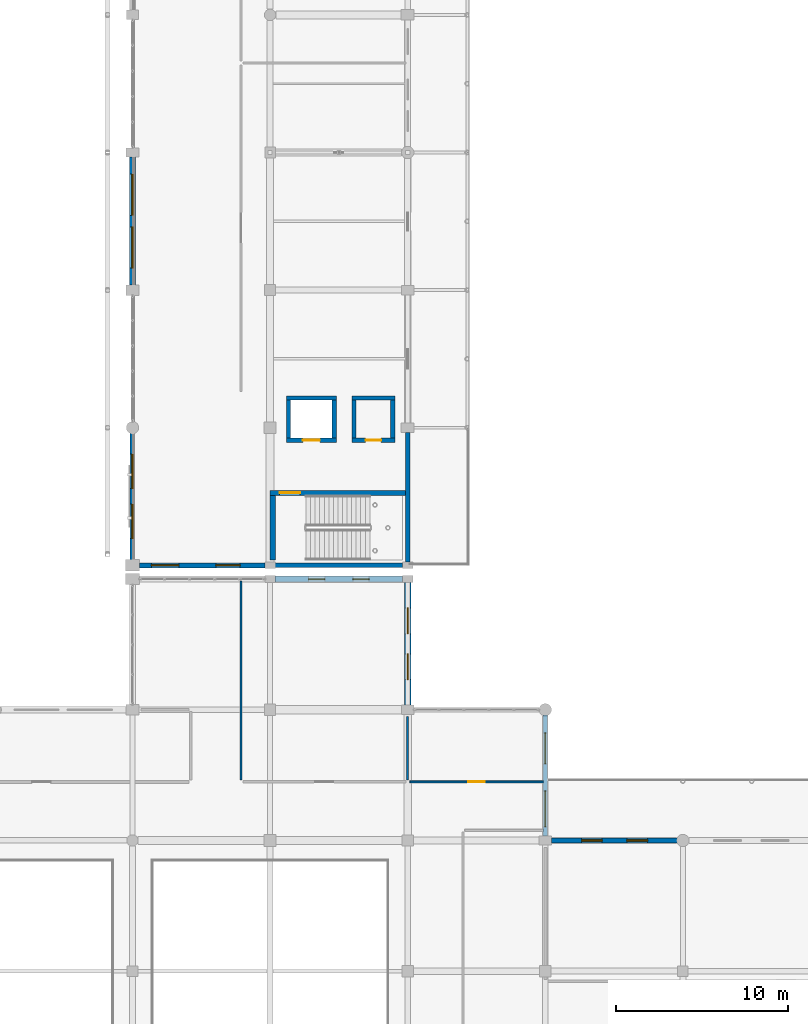
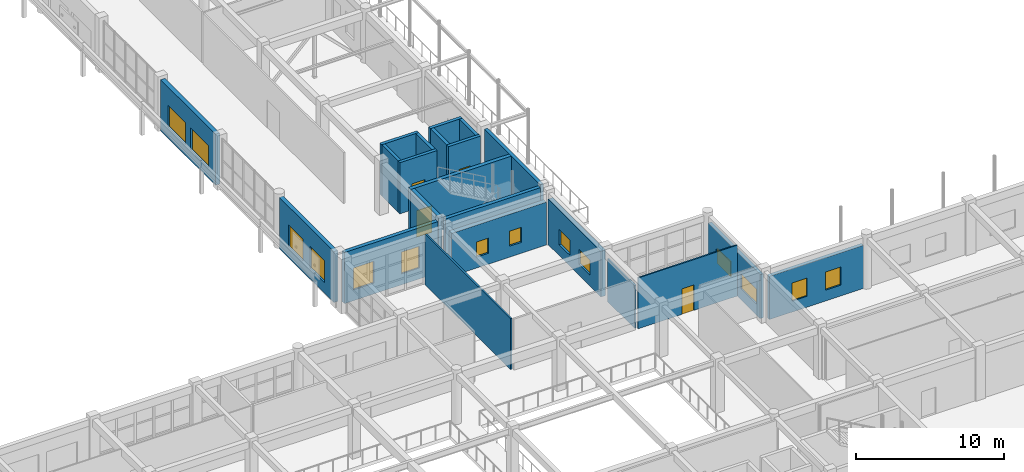
# One storey, part 126 of 160: 22 walls, 14 windows, 4 doors, 18 openings.
"""IFC4 building model written with IfcOpenShell, lengths in metres."""

from ifc_helpers import new_model, si_unit, direction, frame, frame_2d, origin, place, context, subcontext, project, spatial, rectangle, extrude, material, layer, layer_set, type_object, element, fill, save


model = new_model("IFC4")

# Units and contexts
model_context = context("Model", 3, precision=1e-05, world=origin(), true_north=direction((0.0, 1.0)))
body_context = subcontext(model_context, "Body", "Model", "MODEL_VIEW")
ifc_project = project(units=[si_unit("LENGTHUNIT", "METRE"), si_unit("AREAUNIT", "SQUARE_METRE"), si_unit("VOLUMEUNIT", "CUBIC_METRE"), si_unit("PLANEANGLEUNIT", "RADIAN"), si_unit("MASSUNIT", "GRAM", prefix="KILO")], contexts=[model_context])

# Site, building, storey
site_placement = place(None, origin())
site = spatial("IfcSite", under=ifc_project, at=site_placement, CompositionType="ELEMENT")
building_placement = place(site_placement, origin())
building = spatial("IfcBuilding", under=site, at=building_placement, Name="Kharva Crest Polytechnic", CompositionType="ELEMENT")
storey_placement = place(building_placement, frame((0.0, 0.0, 4.5)))
storey = spatial("IfcBuildingStorey", under=building, at=storey_placement, Name="L01", CompositionType="ELEMENT", Elevation=4.5)

# Wall, opening, door
ifc_material_1 = material(Name="Concrete C40/50", Category="concrete")
ifc_layer_1 = layer(ifc_material_1, 0.300048828125, Name="Concrete C40/50")
ifc_layer_set_1 = layer_set([ifc_layer_1], Name="Concrete C40/50")
wall_type_1 = type_object("IfcWallType", Name="WL-CORE-CW2-300", PredefinedType="SHEAR", material=ifc_layer_set_1)
wall_1_placement = place(storey_placement, frame((40.0, 43.010009765625, 0.0), z_axis=(0.0, 0.0, 1.0), x_axis=(1.0, 0.0, 0.0)))
wall_1 = element("IfcWall", 1, at=wall_1_placement, inside=storey, type_object=wall_type_1, Name="L01 West Workshop Core C2 North Shear Wall", PredefinedType="SHEAR", context=body_context, shape_type="SweptSolid", body=[
    extrude(rectangle(XDim=8.0, YDim=0.300048828125, at=frame_2d((4.0, 0.0))), origin(), (0.0, 0.0, 1.0), 4.219970703125),
])
opening_1_placement = place(wall_1_placement, frame((0.550048828125, 0.0, 0.0)))
opening_1 = element("IfcOpeningElement", 2, at=opening_1_placement, cuts=wall_1, Name="Opening FD1", PredefinedType="OPENING", context=body_context, shape_type="SweptSolid", body=[
    extrude(rectangle(XDim=1.199951171875, YDim=2.199951171875, at=frame_2d((0.60009765625, 1.10009765625))), frame((0.0, 0.159912109375, 0.0), z_axis=(0.0, -1.0, 0.0), x_axis=(1.0, 0.0, 0.0)), (0.0, 0.0, 1.0), 0.320068359375),
])
ifc_material_2 = material(Name="Teak timber", Category="wood")
door_type_1 = type_object("IfcDoorType", Name="DR-STAIR-1200X2200", OperationType="NOTDEFINED", PredefinedType="DOOR", material=ifc_material_2)
door_1_placement = place(opening_1_placement, origin())
door_1 = element("IfcDoor", 3, at=door_1_placement, inside=storey, type_object=door_type_1, Name="L01 ST-02 Stair Door", OperationType="SINGLE_SWING_LEFT", OverallHeight=2.199951171875, OverallWidth=1.199951171875, PredefinedType="DOOR", context=body_context, shape_type="SweptSolid", body=[
    extrude(rectangle(XDim=1.199951171875, YDim=2.199951171875, at=frame_2d((0.60009765625, 1.10009765625))), frame((0.0, 0.02490234375, 0.0), z_axis=(0.0, -1.0, 0.0), x_axis=(1.0, 0.0, 0.0)), (0.0, 0.0, 1.0), 0.050048828125),
])
fill(opening_1, door_1)

# Wall
wall_2_placement = place(storey_placement, frame((40.14990234375, 39.10009765625, 0.0), z_axis=(0.0, 0.0, 1.0), x_axis=(0.0, 1.0, 0.0)))
element("IfcWall", 4, at=wall_2_placement, inside=storey, type_object=wall_type_1, Name="L01 West Workshop Core C2 West Shear Wall", PredefinedType="SHEAR", context=body_context, shape_type="SweptSolid", body=[
    extrude(rectangle(XDim=3.760009765625, YDim=0.300048828125, at=frame_2d((1.8798828125, 0.0))), origin(), (0.0, 0.0, 1.0), 4.219970703125),
])

# Wall, openings, windows
ifc_material_3 = material(Name="Kiln brick masonry", Category="masonry")
ifc_layer_2 = layer(ifc_material_3, 0.260009765625, Name="Kiln brick masonry")
ifc_layer_set_2 = layer_set([ifc_layer_2], Name="Kiln brick masonry")
wall_type_2 = type_object("IfcWallType", Name="WL-EXT-BRK-260", PredefinedType="SOLIDWALL", material=ifc_layer_set_2)
wall_3_placement = place(storey_placement, frame((56.0, 23.070068359375, 0.0), z_axis=(0.0, 0.0, 1.0), x_axis=(0.0, 1.0, 0.0)))
wall_3 = element("IfcWall", 5, at=wall_3_placement, inside=storey, type_object=wall_type_2, Name="L01 Exterior Brick Wall 146", PredefinedType="SOLIDWALL", context=body_context, shape_type="SweptSolid", body=[
    extrude(rectangle(XDim=7.027587890625, YDim=0.260009765625, at=frame_2d((3.513671875, 0.0))), origin(), (0.0, 0.0, 1.0), 3.639892578125),
])
opening_2_placement = place(wall_3_placement, frame((0.52001953125, 0.0, 0.89990234375)))
opening_2 = element("IfcOpeningElement", 6, at=opening_2_placement, cuts=wall_3, Name="Opening W18", PredefinedType="OPENING", context=body_context, shape_type="SweptSolid", body=[
    extrude(rectangle(XDim=2.10009765625, YDim=1.25, at=frame_2d((1.050048828125, 0.625))), frame((0.0, 0.139892578125, 0.0), z_axis=(0.0, -1.0, 0.0), x_axis=(1.0, 0.0, 0.0)), (0.0, 0.0, 1.0), 0.280029296875),
])
opening_3_placement = place(wall_3_placement, frame((4.18408203125, 0.0, 0.89990234375)))
opening_3 = element("IfcOpeningElement", 7, at=opening_3_placement, cuts=wall_3, Name="Opening W19", PredefinedType="OPENING", context=body_context, shape_type="SweptSolid", body=[
    extrude(rectangle(XDim=1.800048828125, YDim=1.25, at=frame_2d((0.89990234375, 0.625))), frame((0.0, 0.139892578125, 0.0), z_axis=(0.0, -1.0, 0.0), x_axis=(1.0, 0.0, 0.0)), (0.0, 0.0, 1.0), 0.280029296875),
])
ifc_material_4 = material(Name="Anodised aluminium", Category="aluminium")
window_type_1 = type_object("IfcWindowType", Name="WIN-ALU-1800X1250", PartitioningType="SINGLE_PANEL", PredefinedType="WINDOW", material=ifc_material_4)
window_1_placement = place(opening_3_placement, origin())
window_1 = element("IfcWindow", 8, at=window_1_placement, inside=storey, type_object=window_type_1, Name="L01 Exterior Window 185", OverallHeight=1.25, OverallWidth=1.800048828125, PartitioningType="SINGLE_PANEL", PredefinedType="WINDOW", context=body_context, shape_type="SweptSolid", body=[
    extrude(rectangle(XDim=1.800048828125, YDim=1.25, at=frame_2d((0.89990234375, 0.625))), frame((0.0, 0.030029296875, 0.0), z_axis=(0.0, -1.0, 0.0), x_axis=(1.0, 0.0, 0.0)), (0.0, 0.0, 1.0), 0.06005859375),
])
fill(opening_3, window_1)
window_type_2 = type_object("IfcWindowType", Name="WIN-ALU-2100X1250", PartitioningType="SINGLE_PANEL", PredefinedType="WINDOW", material=ifc_material_4)
window_2_placement = place(opening_2_placement, origin())
window_2 = element("IfcWindow", 9, at=window_2_placement, inside=storey, type_object=window_type_2, Name="L01 Exterior Window 184", OverallHeight=1.25, OverallWidth=2.10009765625, PartitioningType="SINGLE_PANEL", PredefinedType="WINDOW", context=body_context, shape_type="SweptSolid", body=[
    extrude(rectangle(XDim=2.10009765625, YDim=1.25, at=frame_2d((1.050048828125, 0.625))), frame((0.0, 0.030029296875, 0.0), z_axis=(0.0, -1.0, 0.0), x_axis=(1.0, 0.0, 0.0)), (0.0, 0.0, 1.0), 0.06005859375),
])
fill(opening_2, window_2)

# Wall
wall_4_placement = place(storey_placement, frame((48.0, 38.9951171875, 0.0), z_axis=(0.0, 0.0, 1.0), x_axis=(0.0, 1.0, 0.0)))
element("IfcWall", 10, at=wall_4_placement, inside=storey, type_object=wall_type_2, Name="L01 Exterior Brick Wall 170", PredefinedType="SOLIDWALL", context=body_context, shape_type="SweptSolid", body=[
    extrude(rectangle(XDim=7.534912109375, YDim=0.260009765625, at=frame_2d((3.767578125, 0.0))), origin(), (0.0, 0.0, 1.0), 4.219970703125),
])

# Wall, openings, windows
ifc_layer_3 = layer(ifc_material_3, 0.27490234375, Name="Kiln brick masonry")
ifc_layer_set_3 = layer_set([ifc_layer_3], Name="Kiln brick masonry")
wall_type_3 = type_object("IfcWallType", Name="WL-EXT-BRK-275", PredefinedType="SOLIDWALL", material=ifc_layer_set_3)
wall_5_placement = place(storey_placement, frame((63.697509765625, 22.800048828125, 0.0), z_axis=(0.0, 0.0, 1.0), x_axis=(-1.0, 0.0, 0.0)))
wall_5 = element("IfcWall", 11, at=wall_5_placement, inside=storey, type_object=wall_type_3, Name="L01 Exterior Brick Wall 145", PredefinedType="SOLIDWALL", context=body_context, shape_type="SweptSolid", body=[
    extrude(rectangle(XDim=7.342529296875, YDim=0.27490234375, at=frame_2d((3.67138671875, 0.0))), origin(), (0.0, 0.0, 1.0), 3.570068359375),
])
opening_4_placement = place(wall_5_placement, frame((1.75390625, 0.0, 0.89990234375)))
opening_4 = element("IfcOpeningElement", 12, at=opening_4_placement, cuts=wall_5, Name="Opening W16", PredefinedType="OPENING", context=body_context, shape_type="SweptSolid", body=[
    extrude(rectangle(XDim=1.199951171875, YDim=1.5, at=frame_2d((0.60009765625, 0.75))), frame((0.0, 0.1474609375, 0.0), z_axis=(0.0, -1.0, 0.0), x_axis=(1.0, 0.0, 0.0)), (0.0, 0.0, 1.0), 0.294921875),
])
opening_5_placement = place(wall_5_placement, frame((4.387939453125, 0.0, 0.89990234375)))
opening_5 = element("IfcOpeningElement", 13, at=opening_5_placement, cuts=wall_5, Name="Opening W16", PredefinedType="OPENING", context=body_context, shape_type="SweptSolid", body=[
    extrude(rectangle(XDim=1.199951171875, YDim=1.5, at=frame_2d((0.60009765625, 0.75))), frame((0.0, 0.1474609375, 0.0), z_axis=(0.0, -1.0, 0.0), x_axis=(1.0, 0.0, 0.0)), (0.0, 0.0, 1.0), 0.294921875),
])
window_type_3 = type_object("IfcWindowType", Name="WIN-ALU-1200X1500", PartitioningType="SINGLE_PANEL", PredefinedType="WINDOW", material=ifc_material_4)
window_3_placement = place(opening_4_placement, origin())
window_3 = element("IfcWindow", 14, at=window_3_placement, inside=storey, type_object=window_type_3, Name="L01 Exterior Window 182", OverallHeight=1.5, OverallWidth=1.199951171875, PartitioningType="SINGLE_PANEL", PredefinedType="WINDOW", context=body_context, shape_type="SweptSolid", body=[
    extrude(rectangle(XDim=1.199951171875, YDim=1.5, at=frame_2d((0.60009765625, 0.75))), frame((0.0, 0.030029296875, 0.0), z_axis=(0.0, -1.0, 0.0), x_axis=(1.0, 0.0, 0.0)), (0.0, 0.0, 1.0), 0.06005859375),
])
fill(opening_4, window_3)
window_4_placement = place(opening_5_placement, origin())
window_4 = element("IfcWindow", 15, at=window_4_placement, inside=storey, type_object=window_type_3, Name="L01 Exterior Window 183", OverallHeight=1.5, OverallWidth=1.199951171875, PartitioningType="SINGLE_PANEL", PredefinedType="WINDOW", context=body_context, shape_type="SweptSolid", body=[
    extrude(rectangle(XDim=1.199951171875, YDim=1.5, at=frame_2d((0.60009765625, 0.75))), frame((0.0, 0.030029296875, 0.0), z_axis=(0.0, -1.0, 0.0), x_axis=(1.0, 0.0, 0.0)), (0.0, 0.0, 1.0), 0.06005859375),
])
fill(opening_5, window_4)

# Wall
wall_6_placement = place(storey_placement, frame((40.294921875, 38.800048828125, 0.0), z_axis=(0.0, 0.0, 1.0), x_axis=(1.0, 0.0, 0.0)))
element("IfcWall", 16, at=wall_6_placement, inside=storey, type_object=wall_type_3, Name="L01 Exterior Brick Wall 169", PredefinedType="SOLIDWALL", context=body_context, shape_type="SweptSolid", body=[
    extrude(rectangle(XDim=7.41015625, YDim=0.27490234375, at=frame_2d((3.705078125, 0.0))), origin(), (0.0, 0.0, 1.0), 4.219970703125),
])

# Wall, openings, windows
ifc_layer_4 = layer(ifc_material_3, 0.2900390625, Name="Kiln brick masonry")
ifc_layer_set_4 = layer_set([ifc_layer_4], Name="Kiln brick masonry")
wall_type_4 = type_object("IfcWallType", Name="WL-EXT-BRK-290", PredefinedType="SOLIDWALL", material=ifc_layer_set_4)
wall_7_placement = place(storey_placement, frame((32.39501953125, 38.800048828125, 0.0), z_axis=(0.0, 0.0, 1.0), x_axis=(1.0, 0.0, 0.0)))
wall_7 = element("IfcWall", 17, at=wall_7_placement, inside=storey, type_object=wall_type_4, Name="L01 Exterior Brick Wall 168", PredefinedType="SOLIDWALL", context=body_context, shape_type="SweptSolid", body=[
    extrude(rectangle(XDim=7.31005859375, YDim=0.2900390625, at=frame_2d((3.655029296875, 0.0))), origin(), (0.0, 0.0, 1.0), 4.219970703125),
])
opening_6_placement = place(wall_7_placement, frame((0.702880859375, 0.0, 0.89990234375)))
opening_6 = element("IfcOpeningElement", 18, at=opening_6_placement, cuts=wall_7, Name="Opening W06", PredefinedType="OPENING", context=body_context, shape_type="SweptSolid", body=[
    extrude(rectangle(XDim=1.60009765625, YDim=1.800048828125, at=frame_2d((0.800048828125, 0.89990234375))), frame((0.0, 0.155029296875, 0.0), z_axis=(0.0, -1.0, 0.0), x_axis=(1.0, 0.0, 0.0)), (0.0, 0.0, 1.0), 0.31005859375),
])
opening_7_placement = place(wall_7_placement, frame((4.45703125, 0.0, 0.89990234375)))
opening_7 = element("IfcOpeningElement", 19, at=opening_7_placement, cuts=wall_7, Name="Opening W07", PredefinedType="OPENING", context=body_context, shape_type="SweptSolid", body=[
    extrude(rectangle(XDim=1.39990234375, YDim=1.800048828125, at=frame_2d((0.699951171875, 0.89990234375))), frame((0.0, 0.155029296875, 0.0), z_axis=(0.0, -1.0, 0.0), x_axis=(1.0, 0.0, 0.0)), (0.0, 0.0, 1.0), 0.31005859375),
])
window_type_4 = type_object("IfcWindowType", Name="WIN-ALU-1400X1800", PartitioningType="SINGLE_PANEL", PredefinedType="WINDOW", material=ifc_material_4)
window_5_placement = place(opening_7_placement, origin())
window_5 = element("IfcWindow", 20, at=window_5_placement, inside=storey, type_object=window_type_4, Name="L01 Exterior Window 221", OverallHeight=1.800048828125, OverallWidth=1.39990234375, PartitioningType="SINGLE_PANEL", PredefinedType="WINDOW", context=body_context, shape_type="SweptSolid", body=[
    extrude(rectangle(XDim=1.39990234375, YDim=1.800048828125, at=frame_2d((0.699951171875, 0.89990234375))), frame((0.0, 0.030029296875, 0.0), z_axis=(0.0, -1.0, 0.0), x_axis=(1.0, 0.0, 0.0)), (0.0, 0.0, 1.0), 0.06005859375),
])
fill(opening_7, window_5)
window_type_5 = type_object("IfcWindowType", Name="WIN-ALU-1600X1800", PartitioningType="SINGLE_PANEL", PredefinedType="WINDOW", material=ifc_material_4)
window_6_placement = place(opening_6_placement, origin())
window_6 = element("IfcWindow", 21, at=window_6_placement, inside=storey, type_object=window_type_5, Name="L01 Exterior Window 220", OverallHeight=1.800048828125, OverallWidth=1.60009765625, PartitioningType="SINGLE_PANEL", PredefinedType="WINDOW", context=body_context, shape_type="SweptSolid", body=[
    extrude(rectangle(XDim=1.60009765625, YDim=1.800048828125, at=frame_2d((0.800048828125, 0.89990234375))), frame((0.0, 0.030029296875, 0.0), z_axis=(0.0, -1.0, 0.0), x_axis=(1.0, 0.0, 0.0)), (0.0, 0.0, 1.0), 0.06005859375),
])
fill(opening_6, window_6)

ifc_layer_5 = layer(ifc_material_3, 0.304931640625, Name="Kiln brick masonry")
ifc_layer_set_5 = layer_set([ifc_layer_5], Name="Kiln brick masonry")
wall_type_5 = type_object("IfcWallType", Name="WL-EXT-BRK-305", PredefinedType="SOLIDWALL", material=ifc_layer_set_5)
wall_8_placement = place(storey_placement, frame((32.0, 46.49755859375, 0.0), z_axis=(0.0, 0.0, 1.0), x_axis=(0.0, -1.0, 0.0)))
wall_8 = element("IfcWall", 22, at=wall_8_placement, inside=storey, type_object=wall_type_5, Name="L01 Exterior Brick Wall 167", PredefinedType="SOLIDWALL", context=body_context, shape_type="SweptSolid", body=[
    extrude(rectangle(XDim=7.37744140625, YDim=0.304931640625, at=frame_2d((3.688720703125, 0.0))), origin(), (0.0, 0.0, 1.0), 4.219970703125),
])
opening_8_placement = place(wall_8_placement, frame((1.23291015625, 0.0, 0.89990234375)))
opening_8 = element("IfcOpeningElement", 23, at=opening_8_placement, cuts=wall_8, Name="Opening W04", PredefinedType="OPENING", context=body_context, shape_type="SweptSolid", body=[
    extrude(rectangle(XDim=2.0, YDim=1.800048828125, at=frame_2d((1.0, 0.89990234375))), frame((0.0, 0.162353515625, 0.0), z_axis=(0.0, -1.0, 0.0), x_axis=(1.0, 0.0, 0.0)), (0.0, 0.0, 1.0), 0.324951171875),
])
opening_9_placement = place(wall_8_placement, frame((4.14501953125, 0.0, 0.89990234375)))
opening_9 = element("IfcOpeningElement", 24, at=opening_9_placement, cuts=wall_8, Name="Opening W04", PredefinedType="OPENING", context=body_context, shape_type="SweptSolid", body=[
    extrude(rectangle(XDim=2.0, YDim=1.800048828125, at=frame_2d((1.0, 0.89990234375))), frame((0.0, 0.162353515625, 0.0), z_axis=(0.0, -1.0, 0.0), x_axis=(1.0, 0.0, 0.0)), (0.0, 0.0, 1.0), 0.324951171875),
])
window_type_6 = type_object("IfcWindowType", Name="WIN-ALU-2000X1800", PartitioningType="SINGLE_PANEL", PredefinedType="WINDOW", material=ifc_material_4)
window_7_placement = place(opening_8_placement, origin())
window_7 = element("IfcWindow", 25, at=window_7_placement, inside=storey, type_object=window_type_6, Name="L01 Exterior Window 218", OverallHeight=1.800048828125, OverallWidth=2.0, PartitioningType="SINGLE_PANEL", PredefinedType="WINDOW", context=body_context, shape_type="SweptSolid", body=[
    extrude(rectangle(XDim=2.0, YDim=1.800048828125, at=frame_2d((1.0, 0.89990234375))), frame((0.0, 0.030029296875, 0.0), z_axis=(0.0, -1.0, 0.0), x_axis=(1.0, 0.0, 0.0)), (0.0, 0.0, 1.0), 0.06005859375),
])
fill(opening_8, window_7)
window_8_placement = place(opening_9_placement, origin())
window_8 = element("IfcWindow", 26, at=window_8_placement, inside=storey, type_object=window_type_6, Name="L01 Exterior Window 219", OverallHeight=1.800048828125, OverallWidth=2.0, PartitioningType="SINGLE_PANEL", PredefinedType="WINDOW", context=body_context, shape_type="SweptSolid", body=[
    extrude(rectangle(XDim=2.0, YDim=1.800048828125, at=frame_2d((1.0, 0.89990234375))), frame((0.0, 0.030029296875, 0.0), z_axis=(0.0, -1.0, 0.0), x_axis=(1.0, 0.0, 0.0)), (0.0, 0.0, 1.0), 0.06005859375),
])
fill(opening_9, window_8)

ifc_layer_6 = layer(ifc_material_3, 0.3349609375, Name="Kiln brick masonry")
ifc_layer_set_6 = layer_set([ifc_layer_6], Name="Kiln brick masonry")
wall_type_6 = type_object("IfcWallType", Name="WL-EXT-BRK-335", PredefinedType="SOLIDWALL", material=ifc_layer_set_6)
wall_9_placement = place(storey_placement, frame((32.0, 62.530029296875, 0.0), z_axis=(0.0, 0.0, 1.0), x_axis=(0.0, -1.0, 0.0)))
wall_9 = element("IfcWall", 27, at=wall_9_placement, inside=storey, type_object=wall_type_6, Name="L01 Exterior Brick Wall 166", PredefinedType="SOLIDWALL", context=body_context, shape_type="SweptSolid", body=[
    extrude(rectangle(XDim=7.43505859375, YDim=0.3349609375, at=frame_2d((3.717529296875, 0.0))), origin(), (0.0, 0.0, 1.0), 4.219970703125),
])
opening_10_placement = place(wall_9_placement, frame((0.985107421875, 0.0, 0.89990234375)))
opening_10 = element("IfcOpeningElement", 28, at=opening_10_placement, cuts=wall_9, Name="Opening W02", PredefinedType="OPENING", context=body_context, shape_type="SweptSolid", body=[
    extrude(rectangle(XDim=2.39990234375, YDim=1.800048828125, at=frame_2d((1.199951171875, 0.89990234375))), frame((0.0, 0.177490234375, 0.0), z_axis=(0.0, -1.0, 0.0), x_axis=(1.0, 0.0, 0.0)), (0.0, 0.0, 1.0), 0.35498046875),
])
opening_11_placement = place(wall_9_placement, frame((4.050048828125, 0.0, 0.89990234375)))
opening_11 = element("IfcOpeningElement", 29, at=opening_11_placement, cuts=wall_9, Name="Opening W02", PredefinedType="OPENING", context=body_context, shape_type="SweptSolid", body=[
    extrude(rectangle(XDim=2.39990234375, YDim=1.800048828125, at=frame_2d((1.199951171875, 0.89990234375))), frame((0.0, 0.177490234375, 0.0), z_axis=(0.0, -1.0, 0.0), x_axis=(1.0, 0.0, 0.0)), (0.0, 0.0, 1.0), 0.35498046875),
])
window_type_7 = type_object("IfcWindowType", Name="WIN-ALU-2400X1800", PartitioningType="SINGLE_PANEL", PredefinedType="WINDOW", material=ifc_material_4)
window_9_placement = place(opening_10_placement, origin())
window_9 = element("IfcWindow", 30, at=window_9_placement, inside=storey, type_object=window_type_7, Name="L01 Exterior Window 216", OverallHeight=1.800048828125, OverallWidth=2.39990234375, PartitioningType="SINGLE_PANEL", PredefinedType="WINDOW", context=body_context, shape_type="SweptSolid", body=[
    extrude(rectangle(XDim=2.39990234375, YDim=1.800048828125, at=frame_2d((1.199951171875, 0.89990234375))), frame((0.0, 0.030029296875, 0.0), z_axis=(0.0, -1.0, 0.0), x_axis=(1.0, 0.0, 0.0)), (0.0, 0.0, 1.0), 0.06005859375),
])
fill(opening_10, window_9)
window_10_placement = place(opening_11_placement, origin())
window_10 = element("IfcWindow", 31, at=window_10_placement, inside=storey, type_object=window_type_7, Name="L01 Exterior Window 217", OverallHeight=1.800048828125, OverallWidth=2.39990234375, PartitioningType="SINGLE_PANEL", PredefinedType="WINDOW", context=body_context, shape_type="SweptSolid", body=[
    extrude(rectangle(XDim=2.39990234375, YDim=1.800048828125, at=frame_2d((1.199951171875, 0.89990234375))), frame((0.0, 0.030029296875, 0.0), z_axis=(0.0, -1.0, 0.0), x_axis=(1.0, 0.0, 0.0)), (0.0, 0.0, 1.0), 0.06005859375),
])
fill(opening_11, window_10)

ifc_layer_7 = layer(ifc_material_3, 0.35009765625, Name="Kiln brick masonry")
ifc_layer_set_7 = layer_set([ifc_layer_7], Name="Kiln brick masonry")
wall_type_7 = type_object("IfcWallType", Name="WL-EXT-BRK-350", PredefinedType="SOLIDWALL", material=ifc_layer_set_7)
wall_10_placement = place(storey_placement, frame((47.705078125, 38.0, 0.0), z_axis=(0.0, 0.0, 1.0), x_axis=(-1.0, 0.0, 0.0)))
wall_10 = element("IfcWall", 32, at=wall_10_placement, inside=storey, type_object=wall_type_7, Name="L01 Exterior Brick Wall 148", PredefinedType="SOLIDWALL", context=body_context, shape_type="SweptSolid", body=[
    extrude(rectangle(XDim=7.41015625, YDim=0.35009765625, at=frame_2d((3.705078125, 0.0))), origin(), (0.0, 0.0, 1.0), 3.5400390625),
])
opening_12_placement = place(wall_10_placement, frame((1.943115234375, 0.0, 0.89990234375)))
opening_12 = element("IfcOpeningElement", 33, at=opening_12_placement, cuts=wall_10, Name="Opening W22", PredefinedType="OPENING", context=body_context, shape_type="SweptSolid", body=[
    extrude(rectangle(XDim=0.949951171875, YDim=1.25, at=frame_2d((0.47509765625, 0.625))), frame((0.0, 0.18505859375, 0.0), z_axis=(0.0, -1.0, 0.0), x_axis=(1.0, 0.0, 0.0)), (0.0, 0.0, 1.0), 0.3701171875),
])
opening_13_placement = place(wall_10_placement, frame((4.51708984375, 0.0, 0.89990234375)))
opening_13 = element("IfcOpeningElement", 34, at=opening_13_placement, cuts=wall_10, Name="Opening W22", PredefinedType="OPENING", context=body_context, shape_type="SweptSolid", body=[
    extrude(rectangle(XDim=0.949951171875, YDim=1.25, at=frame_2d((0.47509765625, 0.625))), frame((0.0, 0.18505859375, 0.0), z_axis=(0.0, -1.0, 0.0), x_axis=(1.0, 0.0, 0.0)), (0.0, 0.0, 1.0), 0.3701171875),
])
window_type_8 = type_object("IfcWindowType", Name="WIN-ALU-950X1250", PartitioningType="SINGLE_PANEL", PredefinedType="WINDOW", material=ifc_material_4)
window_11_placement = place(opening_12_placement, origin())
window_11 = element("IfcWindow", 35, at=window_11_placement, inside=storey, type_object=window_type_8, Name="L01 Exterior Window 188", OverallHeight=1.25, OverallWidth=0.949951171875, PartitioningType="SINGLE_PANEL", PredefinedType="WINDOW", context=body_context, shape_type="SweptSolid", body=[
    extrude(rectangle(XDim=0.949951171875, YDim=1.25, at=frame_2d((0.47509765625, 0.625))), frame((0.0, 0.030029296875, 0.0), z_axis=(0.0, -1.0, 0.0), x_axis=(1.0, 0.0, 0.0)), (0.0, 0.0, 1.0), 0.06005859375),
])
fill(opening_12, window_11)
window_12_placement = place(opening_13_placement, origin())
window_12 = element("IfcWindow", 36, at=window_12_placement, inside=storey, type_object=window_type_8, Name="L01 Exterior Window 189", OverallHeight=1.25, OverallWidth=0.949951171875, PartitioningType="SINGLE_PANEL", PredefinedType="WINDOW", context=body_context, shape_type="SweptSolid", body=[
    extrude(rectangle(XDim=0.949951171875, YDim=1.25, at=frame_2d((0.47509765625, 0.625))), frame((0.0, 0.030029296875, 0.0), z_axis=(0.0, -1.0, 0.0), x_axis=(1.0, 0.0, 0.0)), (0.0, 0.0, 1.0), 0.06005859375),
])
fill(opening_13, window_12)

ifc_layer_8 = layer(ifc_material_3, 0.364990234375, Name="Kiln brick masonry")
ifc_layer_set_8 = layer_set([ifc_layer_8], Name="Kiln brick masonry")
wall_type_8 = type_object("IfcWallType", Name="WL-EXT-BRK-365", PredefinedType="SOLIDWALL", material=ifc_layer_set_8)
wall_11_placement = place(storey_placement, frame((48.0, 30.669921875, 0.0), z_axis=(0.0, 0.0, 1.0), x_axis=(0.0, 1.0, 0.0)))
wall_11 = element("IfcWall", 37, at=wall_11_placement, inside=storey, type_object=wall_type_8, Name="L01 Exterior Brick Wall 147", PredefinedType="SOLIDWALL", context=body_context, shape_type="SweptSolid", body=[
    extrude(rectangle(XDim=7.135009765625, YDim=0.364990234375, at=frame_2d((3.5673828125, 0.0))), origin(), (0.0, 0.0, 1.0), 3.760009765625),
])
opening_14_placement = place(wall_11_placement, frame((1.485107421875, 0.0, 0.89990234375)))
opening_14 = element("IfcOpeningElement", 38, at=opening_14_placement, cuts=wall_11, Name="Opening W20", PredefinedType="OPENING", context=body_context, shape_type="SweptSolid", body=[
    extrude(rectangle(XDim=1.5, YDim=1.25, at=frame_2d((0.75, 0.625))), frame((0.0, 0.1923828125, 0.0), z_axis=(0.0, -1.0, 0.0), x_axis=(1.0, 0.0, 0.0)), (0.0, 0.0, 1.0), 0.385009765625),
])
opening_15_placement = place(wall_11_placement, frame((4.14990234375, 0.0, 0.89990234375)))
opening_15 = element("IfcOpeningElement", 39, at=opening_15_placement, cuts=wall_11, Name="Opening W20", PredefinedType="OPENING", context=body_context, shape_type="SweptSolid", body=[
    extrude(rectangle(XDim=1.5, YDim=1.25, at=frame_2d((0.75, 0.625))), frame((0.0, 0.1923828125, 0.0), z_axis=(0.0, -1.0, 0.0), x_axis=(1.0, 0.0, 0.0)), (0.0, 0.0, 1.0), 0.385009765625),
])
window_type_9 = type_object("IfcWindowType", Name="WIN-ALU-1500X1250", PartitioningType="SINGLE_PANEL", PredefinedType="WINDOW", material=ifc_material_4)
window_13_placement = place(opening_14_placement, origin())
window_13 = element("IfcWindow", 40, at=window_13_placement, inside=storey, type_object=window_type_9, Name="L01 Exterior Window 186", OverallHeight=1.25, OverallWidth=1.5, PartitioningType="SINGLE_PANEL", PredefinedType="WINDOW", context=body_context, shape_type="SweptSolid", body=[
    extrude(rectangle(XDim=1.5, YDim=1.25, at=frame_2d((0.75, 0.625))), frame((0.0, 0.030029296875, 0.0), z_axis=(0.0, -1.0, 0.0), x_axis=(1.0, 0.0, 0.0)), (0.0, 0.0, 1.0), 0.06005859375),
])
fill(opening_14, window_13)
window_14_placement = place(opening_15_placement, origin())
window_14 = element("IfcWindow", 41, at=window_14_placement, inside=storey, type_object=window_type_9, Name="L01 Exterior Window 187", OverallHeight=1.25, OverallWidth=1.5, PartitioningType="SINGLE_PANEL", PredefinedType="WINDOW", context=body_context, shape_type="SweptSolid", body=[
    extrude(rectangle(XDim=1.5, YDim=1.25, at=frame_2d((0.75, 0.625))), frame((0.0, 0.030029296875, 0.0), z_axis=(0.0, -1.0, 0.0), x_axis=(1.0, 0.0, 0.0)), (0.0, 0.0, 1.0), 0.06005859375),
])
fill(opening_15, window_14)

# Wall, opening, door
ifc_layer_9 = layer(ifc_material_3, 0.110107421875, Name="Kiln brick masonry")
ifc_layer_set_9 = layer_set([ifc_layer_9], Name="Kiln brick masonry")
wall_type_9 = type_object("IfcWallType", Name="WL-PART-110", PredefinedType="PARTITIONING", material=ifc_layer_set_9)
wall_12_placement = place(storey_placement, frame((48.1201171875, 26.2099609375, 0.0), z_axis=(0.0, 0.0, 1.0), x_axis=(1.0, 0.0, 0.0)))
wall_12 = element("IfcWall", 42, at=wall_12_placement, inside=storey, type_object=wall_type_9, Name="L01 Interior Partition 147", PredefinedType="PARTITIONING", context=body_context, shape_type="SweptSolid", body=[
    extrude(rectangle(XDim=7.769775390625, YDim=0.110107421875, at=frame_2d((3.884765625, 0.0))), origin(), (0.0, 0.0, 1.0), 4.199951171875),
])
opening_16_placement = place(wall_12_placement, frame((3.409912109375, 0.0, 0.0)))
opening_16 = element("IfcOpeningElement", 43, at=opening_16_placement, cuts=wall_12, Name="Opening ID14", PredefinedType="OPENING", context=body_context, shape_type="SweptSolid", body=[
    extrude(rectangle(XDim=0.949951171875, YDim=2.10009765625, at=frame_2d((0.47509765625, 1.050048828125))), frame((0.0, 0.06494140625, 0.0), z_axis=(0.0, -1.0, 0.0), x_axis=(1.0, 0.0, 0.0)), (0.0, 0.0, 1.0), 0.130126953125),
])
door_type_2 = type_object("IfcDoorType", Name="DR-WC-950X2100", OperationType="NOTDEFINED", PredefinedType="DOOR", material=ifc_material_2)
door_2_placement = place(opening_16_placement, origin())
door_2 = element("IfcDoor", 44, at=door_2_placement, inside=storey, type_object=door_type_2, Name="L01 Lecture Gallery Washrooms L01 Door", OperationType="SINGLE_SWING_RIGHT", OverallHeight=2.10009765625, OverallWidth=0.949951171875, PredefinedType="DOOR", context=body_context, shape_type="SweptSolid", body=[
    extrude(rectangle(XDim=0.949951171875, YDim=2.10009765625, at=frame_2d((0.47509765625, 1.050048828125))), frame((0.0, 0.02490234375, 0.0), z_axis=(0.0, -1.0, 0.0), x_axis=(1.0, 0.0, 0.0)), (0.0, 0.0, 1.0), 0.050048828125),
])
fill(opening_16, door_2)

# Walls
ifc_layer_10 = layer(ifc_material_3, 0.1201171875, Name="Kiln brick masonry")
ifc_layer_set_10 = layer_set([ifc_layer_10], Name="Kiln brick masonry")
wall_type_10 = type_object("IfcWallType", Name="WL-PART-120", PredefinedType="PARTITIONING", material=ifc_layer_set_10)
wall_13_placement = place(storey_placement, frame((48.0, 26.320068359375, 0.0), z_axis=(0.0, 0.0, 1.0), x_axis=(0.0, 1.0, 0.0)))
element("IfcWall", 45, at=wall_13_placement, inside=storey, type_object=wall_type_10, Name="L01 Interior Partition 146", PredefinedType="PARTITIONING", context=body_context, shape_type="SweptSolid", body=[
    extrude(rectangle(XDim=3.675048828125, YDim=0.1201171875, at=frame_2d((1.83740234375, 0.0))), origin(), (0.0, 0.0, 1.0), 3.5400390625),
])
ifc_layer_11 = layer(ifc_material_3, 0.1298828125, Name="Kiln brick masonry")
ifc_layer_set_11 = layer_set([ifc_layer_11], Name="Kiln brick masonry")
wall_type_11 = type_object("IfcWallType", Name="WL-PART-130", PredefinedType="PARTITIONING", material=ifc_layer_set_11)
wall_14_placement = place(storey_placement, frame((38.31005859375, 26.320068359375, 0.0), z_axis=(0.0, 0.0, 1.0), x_axis=(0.0, 1.0, 0.0)))
element("IfcWall", 46, at=wall_14_placement, inside=storey, type_object=wall_type_11, Name="L01 Interior Partition 145", PredefinedType="PARTITIONING", context=body_context, shape_type="SweptSolid", body=[
    extrude(rectangle(XDim=11.56982421875, YDim=0.1298828125, at=frame_2d((5.784912109375, 0.0))), origin(), (0.0, 0.0, 1.0), 4.199951171875),
])

# Wall, opening, door
ifc_layer_12 = layer(ifc_material_1, 0.25, Name="Concrete C40/50")
ifc_layer_set_12 = layer_set([ifc_layer_12], Name="Concrete C40/50")
wall_type_12 = type_object("IfcWallType", Name="WL-SHEAR-SW1-250", PredefinedType="SHEAR", material=ifc_layer_set_12)
wall_15_placement = place(storey_placement, frame((40.949951171875, 46.074951171875, 0.0), z_axis=(0.0, 0.0, 1.0), x_axis=(1.0, 0.0, 0.0)))
wall_15 = element("IfcWall", 47, at=wall_15_placement, inside=storey, type_object=wall_type_12, Name="L01 Lift PL2 South Shaft Wall", PredefinedType="SHEAR", context=body_context, shape_type="SweptSolid", body=[
    extrude(rectangle(XDim=2.900146484375, YDim=0.25, at=frame_2d((1.4501953125, 0.0))), origin(), (0.0, 0.0, 1.0), 4.219970703125),
])
opening_17_placement = place(wall_15_placement, frame((0.949951171875, 0.0, 0.0)))
opening_17 = element("IfcOpeningElement", 48, at=opening_17_placement, cuts=wall_15, Name="Opening LD2", PredefinedType="OPENING", context=body_context, shape_type="SweptSolid", body=[
    extrude(rectangle(XDim=1.0, YDim=2.14990234375, at=frame_2d((0.5, 1.074951171875))), frame((0.0, 0.135009765625, 0.0), z_axis=(0.0, -1.0, 0.0), x_axis=(1.0, 0.0, 0.0)), (0.0, 0.0, 1.0), 0.27001953125),
])
door_type_3 = type_object("IfcDoorType", Name="DR-LIFT-LD2-1000X2150", OperationType="SLIDING_TO_LEFT", PredefinedType="DOOR", material=ifc_material_4)
door_3_placement = place(opening_17_placement, origin())
door_3 = element("IfcDoor", 49, at=door_3_placement, inside=storey, type_object=door_type_3, Name="L01 Lift PL2 Sliding Landing Door", OperationType="SLIDING_TO_LEFT", OverallHeight=2.14990234375, OverallWidth=1.0, PredefinedType="DOOR", context=body_context, shape_type="SweptSolid", body=[
    extrude(rectangle(XDim=1.0, YDim=2.14990234375, at=frame_2d((0.5, 1.074951171875))), frame((0.0, 0.02490234375, 0.0), z_axis=(0.0, -1.0, 0.0), x_axis=(1.0, 0.0, 0.0)), (0.0, 0.0, 1.0), 0.050048828125),
])
fill(opening_17, door_3)

# Walls
wall_16_placement = place(storey_placement, frame((40.949951171875, 48.52490234375, 0.0), z_axis=(0.0, 0.0, 1.0), x_axis=(1.0, 0.0, 0.0)))
element("IfcWall", 50, at=wall_16_placement, inside=storey, type_object=wall_type_12, Name="L01 Lift PL2 North Shaft Wall", PredefinedType="SHEAR", context=body_context, shape_type="SweptSolid", body=[
    extrude(rectangle(XDim=2.900146484375, YDim=0.25, at=frame_2d((1.4501953125, 0.0))), origin(), (0.0, 0.0, 1.0), 4.219970703125),
])
for number, where, z_axis, x_axis, name in (
    (51, (41.074951171875, 46.199951171875, 0.0), (0.0, 0.0, 1.0), (0.0, 1.0, 0.0), "L01 Lift PL2 West Shaft Wall"),
    (52, (43.72509765625, 46.199951171875, 0.0), (0.0, 0.0, 1.0), (0.0, 1.0, 0.0), "L01 Lift PL2 East Shaft Wall"),
):
    element("IfcWall", number, at=place(storey_placement, frame(where, z_axis=z_axis, x_axis=x_axis)), inside=storey, type_object=wall_type_12, Name=name, PredefinedType="SHEAR", context=body_context, shape_type="SweptSolid", body=[
        extrude(rectangle(XDim=2.199951171875, YDim=0.25, at=frame_2d((1.10009765625, 0.0))), origin(), (0.0, 0.0, 1.0), 4.219970703125),
    ])

# Wall, opening, door
wall_17_placement = place(storey_placement, frame((44.75, 46.074951171875, 0.0), z_axis=(0.0, 0.0, 1.0), x_axis=(1.0, 0.0, 0.0)))
wall_17 = element("IfcWall", 53, at=wall_17_placement, inside=storey, type_object=wall_type_12, Name="L01 Core C2 Riser South Wall", PredefinedType="SHEAR", context=body_context, shape_type="SweptSolid", body=[
    extrude(rectangle(XDim=2.5, YDim=0.25, at=frame_2d((1.25, 0.0))), origin(), (0.0, 0.0, 1.0), 4.219970703125),
])
opening_18_placement = place(wall_17_placement, frame((0.800048828125, 0.0, 0.0)))
opening_18 = element("IfcOpeningElement", 54, at=opening_18_placement, cuts=wall_17, Name="Opening FD3", PredefinedType="OPENING", context=body_context, shape_type="SweptSolid", body=[
    extrude(rectangle(XDim=0.89990234375, YDim=2.050048828125, at=frame_2d((0.449951171875, 1.02490234375))), frame((0.0, 0.135009765625, 0.0), z_axis=(0.0, -1.0, 0.0), x_axis=(1.0, 0.0, 0.0)), (0.0, 0.0, 1.0), 0.27001953125),
])
door_type_4 = type_object("IfcDoorType", Name="DR-RISER-900X2050", OperationType="NOTDEFINED", PredefinedType="DOOR", material=ifc_material_4)
door_4_placement = place(opening_18_placement, origin())
door_4 = element("IfcDoor", 55, at=door_4_placement, inside=storey, type_object=door_type_4, Name="L01 Core C2 Riser Access Door", OperationType="SINGLE_SWING_RIGHT", OverallHeight=2.050048828125, OverallWidth=0.89990234375, PredefinedType="DOOR", context=body_context, shape_type="SweptSolid", body=[
    extrude(rectangle(XDim=0.89990234375, YDim=2.050048828125, at=frame_2d((0.449951171875, 1.02490234375))), frame((0.0, 0.02490234375, 0.0), z_axis=(0.0, -1.0, 0.0), x_axis=(1.0, 0.0, 0.0)), (0.0, 0.0, 1.0), 0.050048828125),
])
fill(opening_18, door_4)

# Walls
wall_18_placement = place(storey_placement, frame((44.75, 48.52490234375, 0.0), z_axis=(0.0, 0.0, 1.0), x_axis=(1.0, 0.0, 0.0)))
element("IfcWall", 56, at=wall_18_placement, inside=storey, type_object=wall_type_12, Name="L01 Core C2 Riser North Wall", PredefinedType="SHEAR", context=body_context, shape_type="SweptSolid", body=[
    extrude(rectangle(XDim=2.5, YDim=0.25, at=frame_2d((1.25, 0.0))), origin(), (0.0, 0.0, 1.0), 4.219970703125),
])
for number, where, z_axis, x_axis, name in (
    (57, (44.875, 46.199951171875, 0.0), (0.0, 0.0, 1.0), (0.0, 1.0, 0.0), "L01 Core C2 Riser West Wall"),
    (58, (47.125, 46.199951171875, 0.0), (0.0, 0.0, 1.0), (0.0, 1.0, 0.0), "L01 Core C2 Riser East Wall"),
):
    element("IfcWall", number, at=place(storey_placement, frame(where, z_axis=z_axis, x_axis=x_axis)), inside=storey, type_object=wall_type_12, Name=name, PredefinedType="SHEAR", context=body_context, shape_type="SweptSolid", body=[
        extrude(rectangle(XDim=2.199951171875, YDim=0.25, at=frame_2d((1.10009765625, 0.0))), origin(), (0.0, 0.0, 1.0), 4.219970703125),
    ])

save(model, "model.ifc")
